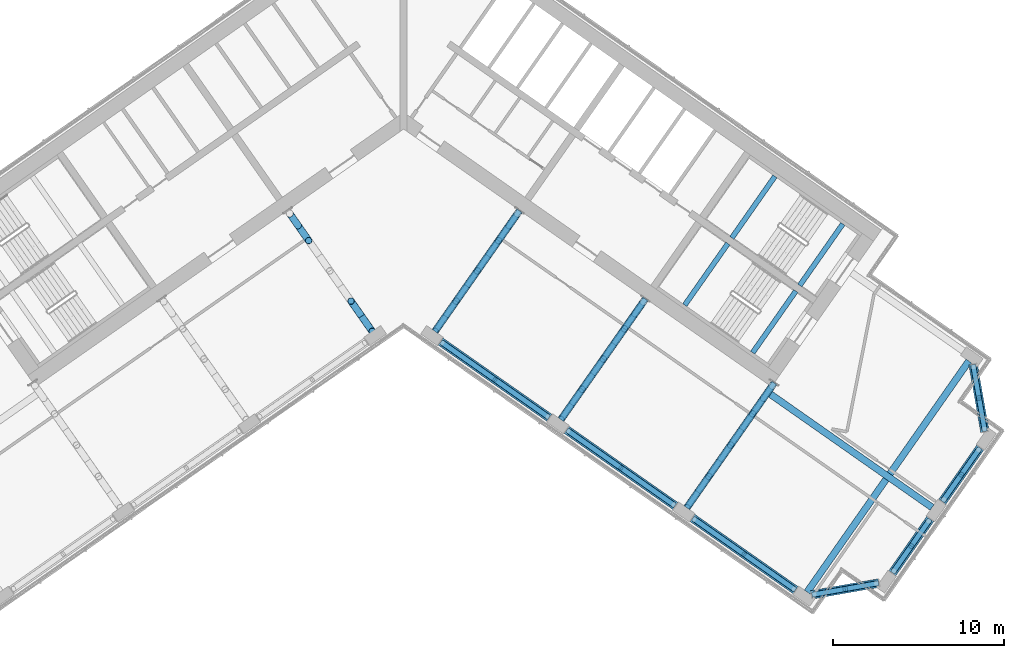
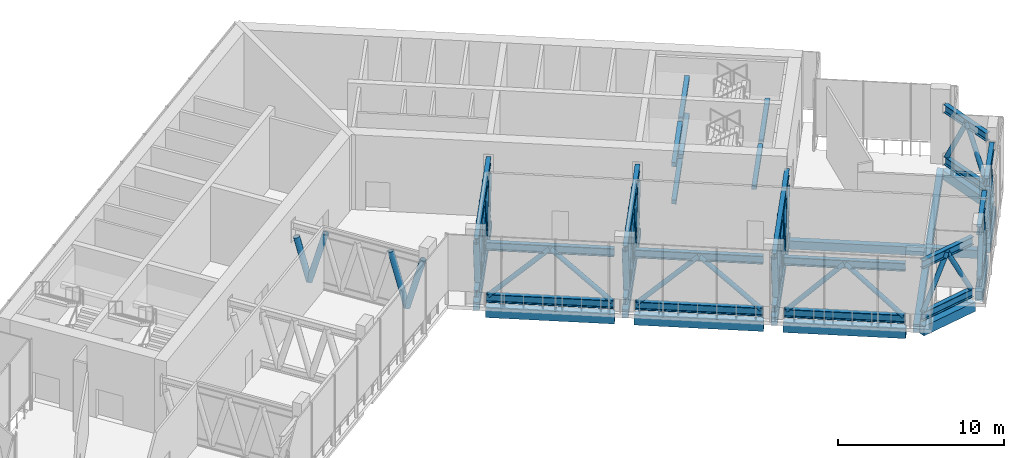
# One storey, part 2 of 19: 62 members, 18 beams.
"""IFC4 building model written with IfcOpenShell, lengths in metres."""

from ifc_helpers import new_model, si_unit, direction, frame, origin, origin_2d, place, context, subcontext, project, spatial, rectangle, hollow_circle, i_section, extrude, material, material_profile, profile_set, type_object, element, save


model = new_model("IFC4")

# Units and contexts
model_context = context("Model", 3, precision=1e-05, world=origin(), true_north=direction((0.0, 1.0)))
body_context = subcontext(model_context, "Body", "Model", "MODEL_VIEW")
ifc_project = project(units=[si_unit("LENGTHUNIT", "METRE"), si_unit("AREAUNIT", "SQUARE_METRE"), si_unit("VOLUMEUNIT", "CUBIC_METRE"), si_unit("PLANEANGLEUNIT", "RADIAN"), si_unit("MASSUNIT", "GRAM", prefix="KILO")], contexts=[model_context])

# Site, building, storey
site_placement = place(None, origin())
site = spatial("IfcSite", under=ifc_project, at=site_placement, CompositionType="ELEMENT")
building_placement = place(site_placement, origin())
building = spatial("IfcBuilding", under=site, at=building_placement, Name="Tel Ilan Convention Tower", CompositionType="ELEMENT")
storey_placement = place(building_placement, frame((0.0, 0.0, 213.89990234375)))
storey = spatial("IfcBuildingStorey", under=building, at=storey_placement, Name="L50", CompositionType="ELEMENT", Elevation=213.89990234375)

# Beams
ifc_material_1 = material(Name="Concrete C40/50", Category="concrete")
ifc_material_profile_1 = material_profile(ifc_material_1, rectangle(XDim=0.39990234375, YDim=0.60009765625, at=origin_2d()), Name="RC 400x600")
ifc_profile_set_1 = profile_set([ifc_material_profile_1], Name="Concrete C40/50")
beam_type_1 = type_object("IfcBeamType", Name="Beam RC 400x600 Concrete C40/50", PredefinedType="BEAM", material=ifc_profile_set_1)
for number, where, z_axis, x_axis, name in (
    (1, (1.83740234375, -13.06689453125, -0.579833984375), (0.573574099654, 0.819153680457, 0.0), (-0.819153680457, 0.573574099654, 0.0), "L50 beam E-E-F1-core"),
    (2, (9.209716796875, -18.229248046875, -0.579833984375), (0.573574099654, 0.819153680457, 0.0), (-0.819153680457, 0.573574099654, 0.0), "L50 beam E-E-F2-core"),
):
    element("IfcBeam", number, at=place(storey_placement, frame(where, z_axis=z_axis, x_axis=x_axis)), inside=storey, type_object=beam_type_1, Name=name, PredefinedType="BEAM", context=body_context, shape_type="SweptSolid", body=[
        extrude(rectangle(XDim=0.39990234375, YDim=0.60009765625, at=origin_2d()), origin(), (0.0, 0.0, 1.0), 8.64990234375),
    ])
beam_1_placement = place(storey_placement, frame((16.58203125, -23.391357421875, -0.579833984375), z_axis=(0.573584999642, 0.819146048141, 0.0), x_axis=(-0.819146048141, 0.573584999642, 0.0)))
element("IfcBeam", 3, at=beam_1_placement, inside=storey, type_object=beam_type_1, Name="L50 beam E-E-F3-core", PredefinedType="BEAM", context=body_context, shape_type="SweptSolid", body=[
    extrude(rectangle(XDim=0.39990234375, YDim=0.60009765625, at=origin_2d()), origin(), (0.0, 0.0, 1.0), 8.949951171875),
])
beam_2_placement = place(storey_placement, frame((21.477783203125, -16.748046875, -0.579833984375), z_axis=(0.819160415691, -0.573564480564, 0.0), x_axis=(0.573564480564, 0.819160415691, 0.0)))
element("IfcBeam", 4, at=beam_2_placement, inside=storey, type_object=beam_type_1, Name="L50 beam E-core-end", PredefinedType="BEAM", context=body_context, shape_type="SweptSolid", body=[
    extrude(rectangle(XDim=0.39990234375, YDim=0.60009765625, at=origin_2d()), origin(), (0.0, 0.0, 1.0), 11.550048828125),
])
beam_3_placement = place(storey_placement, frame((23.626708984375, -28.32421875, -0.579833984375), z_axis=(0.573577531157, 0.819151277697, 0.0), x_axis=(-0.819151277697, 0.573577531157, 0.0)))
element("IfcBeam", 5, at=beam_3_placement, inside=storey, type_object=beam_type_1, Name="L50 beam E-E-FC-E-BC", PredefinedType="BEAM", context=body_context, shape_type="SweptSolid", body=[
    extrude(rectangle(XDim=0.39990234375, YDim=0.60009765625, at=origin_2d()), origin(), (0.0, 0.0, 1.0), 16.500244140625),
])
ifc_material_2 = material(Name="Concrete C40/50", Category="concrete")
ifc_material_profile_2 = material_profile(ifc_material_2, rectangle(XDim=0.5, YDim=0.699951171875, at=origin_2d()), Name="RC 500x700")
ifc_profile_set_2 = profile_set([ifc_material_profile_2], Name="Concrete C40/50")
beam_type_2 = type_object("IfcBeamType", Name="Beam RC 500x700 Concrete C40/50", PredefinedType="BEAM", material=ifc_profile_set_2)
for number, where, z_axis, x_axis, name in (
    (6, (2.15673828125, -13.656982421875, -0.6298828125), (0.819153977895, -0.573573674866, 0.0), (0.573573674866, 0.819153977895, 0.0), "L50 beam E-E-F1-E-F2"),
    (7, (9.529052734375, -18.819091796875, -0.6298828125), (0.819153977895, -0.573573674866, 0.0), (0.573573674866, 0.819153977895, 0.0), "L50 beam E-E-F2-E-F3"),
):
    element("IfcBeam", number, at=place(storey_placement, frame(where, z_axis=z_axis, x_axis=x_axis)), inside=storey, type_object=beam_type_2, Name=name, PredefinedType="BEAM", context=body_context, shape_type="SweptSolid", body=[
        extrude(rectangle(XDim=0.5, YDim=0.699951171875, at=origin_2d()), origin(), (0.0, 0.0, 1.0), 7.800048828125),
    ])
beam_4_placement = place(storey_placement, frame((16.901611328125, -23.981201171875, -0.6298828125), z_axis=(0.819148211634, -0.573581909911, 0.0), x_axis=(0.573581909911, 0.819148211634, 0.0)))
element("IfcBeam", 8, at=beam_4_placement, inside=storey, type_object=beam_type_2, Name="L50 beam E-E-F3-E-FC", PredefinedType="BEAM", context=body_context, shape_type="SweptSolid", body=[
    extrude(rectangle(XDim=0.5, YDim=0.699951171875, at=origin_2d()), origin(), (0.0, 0.0, 1.0), 7.39990234375),
])
beam_5_placement = place(storey_placement, frame((23.87255859375, -28.49609375, -0.6298828125), z_axis=(0.984815252405, 0.173605641124, 0.0), x_axis=(-0.173605641124, 0.984815252405, 0.0)))
element("IfcBeam", 9, at=beam_5_placement, inside=storey, type_object=beam_type_2, Name="L50 beam E-E-FC-E-E1", PredefinedType="BEAM", context=body_context, shape_type="SweptSolid", body=[
    extrude(rectangle(XDim=0.5, YDim=0.699951171875, at=origin_2d()), origin(), (0.0, 0.0, 1.0), 4.030517578125),
])
for number, where, z_axis, x_axis, name in (
    (10, (28.603759765625, -27.231201171875, -0.6298828125), (0.573609383536, 0.819128973434, 0.0), (-0.819128973434, 0.573609383536, 0.0), "L50 beam E-E-E1-E-E2"),
    (11, (31.529052734375, -23.053466796875, -0.6298828125), (0.573609383536, 0.819128973434, 0.0), (-0.819128973434, 0.573609383536, 0.0), "L50 beam E-E-E2-E-E3"),
):
    element("IfcBeam", number, at=place(storey_placement, frame(where, z_axis=z_axis, x_axis=x_axis)), inside=storey, type_object=beam_type_2, Name=name, PredefinedType="BEAM", context=body_context, shape_type="SweptSolid", body=[
        extrude(rectangle(XDim=0.5, YDim=0.699951171875, at=origin_2d()), origin(), (0.0, 0.0, 1.0), 3.89990234375),
    ])
beam_6_placement = place(storey_placement, frame((34.036376953125, -18.949462890625, -0.6298828125), z_axis=(-0.173605641124, 0.984815252405, 0.0), x_axis=(-0.984815252405, -0.173605641124, 0.0)))
element("IfcBeam", 12, at=beam_6_placement, inside=storey, type_object=beam_type_2, Name="L50 beam E-E-E3-E-BC", PredefinedType="BEAM", context=body_context, shape_type="SweptSolid", body=[
    extrude(rectangle(XDim=0.5, YDim=0.699951171875, at=origin_2d()), origin(), (0.0, 0.0, 1.0), 4.030517578125),
])

# Members
ifc_material_3 = material(Name="Steel S355", Category="steel")
ifc_material_profile_3 = material_profile(ifc_material_3, i_section(OverallWidth=0.300048828125, OverallDepth=0.60009765625, WebThickness=0.015380859375, FlangeThickness=0.030029296875, FilletRadius=0.027099609375, at=origin_2d()), Name="HEB 600")
ifc_profile_set_3 = profile_set([ifc_material_profile_3], Name="Steel S355")
member_type_1 = type_object("IfcMemberType", Name="Belt Truss Chord HEB 600 Steel S355", PredefinedType="CHORD", material=ifc_profile_set_3)
for number, where, z_axis, x_axis, name in (
    (13, (2.17724609375, -13.671142578125, 0.35009765625), (0.819144593602, -0.573587076888, 0.0), (0.573587076888, 0.819144593602, 0.0), "L50 E-F1-E-F2 belt member"),
    (14, (2.17724609375, -13.671142578125, 4.170166015625), (0.819144593602, -0.573587076888, 0.0), (0.573587076888, 0.819144593602, 0.0), "L50 E-F1-E-F2 belt member"),
    (15, (9.549560546875, -18.83349609375, 0.35009765625), (0.819159394801, -0.573565938589, 0.0), (0.573565938589, 0.819159394801, 0.0), "L50 E-F2-E-F3 belt member"),
    (16, (9.549560546875, -18.83349609375, 4.170166015625), (0.819159394801, -0.573565938589, 0.0), (0.573565938589, 0.819159394801, 0.0), "L50 E-F2-E-F3 belt member"),
):
    element("IfcMember", number, at=place(storey_placement, frame(where, z_axis=z_axis, x_axis=x_axis)), inside=storey, type_object=member_type_1, Name=name, PredefinedType="CHORD", context=body_context, shape_type="SweptSolid", body=[
        extrude(i_section(OverallWidth=0.300048828125, OverallDepth=0.60009765625, WebThickness=0.015380859375, FlangeThickness=0.030029296875, FilletRadius=0.027099609375, at=origin_2d()), origin(), (0.0, 0.0, 1.0), 7.75),
    ])
for number, where, z_axis, x_axis, name in (
    (17, (16.922119140625, -23.99560546875, 0.35009765625), (0.819149205436, -0.573580490632, 0.0), (0.573580490632, 0.819149205436, 0.0), "L50 E-F3-E-FC belt member"),
    (18, (16.922119140625, -23.99560546875, 4.170166015625), (0.819149205436, -0.573580490632, 0.0), (0.573580490632, 0.819149205436, 0.0), "L50 E-F3-E-FC belt member"),
):
    element("IfcMember", number, at=place(storey_placement, frame(where, z_axis=z_axis, x_axis=x_axis)), inside=storey, type_object=member_type_1, Name=name, PredefinedType="CHORD", context=body_context, shape_type="SweptSolid", body=[
        extrude(i_section(OverallWidth=0.300048828125, OverallDepth=0.60009765625, WebThickness=0.015380859375, FlangeThickness=0.030029296875, FilletRadius=0.027099609375, at=origin_2d()), origin(), (0.0, 0.0, 1.0), 7.35009765625),
    ])
for number, where, z_axis, x_axis, name in (
    (19, (23.897216796875, -28.491943359375, 0.35009765625), (0.984808864855, 0.173641871973, 0.0), (-0.173641871973, 0.984808864855, 0.0), "L50 E-FC-E-E1 belt member"),
    (20, (23.897216796875, -28.491943359375, 4.170166015625), (0.984808864855, 0.173641871973, 0.0), (-0.173641871973, 0.984808864855, 0.0), "L50 E-FC-E-E1 belt member"),
):
    element("IfcMember", number, at=place(storey_placement, frame(where, z_axis=z_axis, x_axis=x_axis)), inside=storey, type_object=member_type_1, Name=name, PredefinedType="CHORD", context=body_context, shape_type="SweptSolid", body=[
        extrude(i_section(OverallWidth=0.300048828125, OverallDepth=0.60009765625, WebThickness=0.015380859375, FlangeThickness=0.030029296875, FilletRadius=0.027099609375, at=origin_2d()), origin(), (0.0, 0.0, 1.0), 3.98046875),
    ])
for number, where, z_axis, x_axis, name in (
    (21, (28.6181640625, -27.210693359375, 0.35009765625), (0.573564480564, 0.819160415691, 0.0), (-0.819160415691, 0.573564480564, 0.0), "L50 E-E1-E-E2 belt member"),
    (22, (28.6181640625, -27.210693359375, 4.170166015625), (0.573564480564, 0.819160415691, 0.0), (-0.819160415691, 0.573564480564, 0.0), "L50 E-E1-E-E2 belt member"),
):
    element("IfcMember", number, at=place(storey_placement, frame(where, z_axis=z_axis, x_axis=x_axis)), inside=storey, type_object=member_type_1, Name=name, PredefinedType="CHORD", context=body_context, shape_type="SweptSolid", body=[
        extrude(i_section(OverallWidth=0.300048828125, OverallDepth=0.60009765625, WebThickness=0.015380859375, FlangeThickness=0.030029296875, FilletRadius=0.027099609375, at=origin_2d()), origin(), (0.0, 0.0, 1.0), 3.85009765625),
    ])
for number, where, z_axis, x_axis, name in (
    (23, (31.54345703125, -23.032958984375, 0.35009765625), (0.573594275463, 0.819139552919, 0.0), (-0.819139552919, 0.573594275463, 0.0), "L50 E-E2-E-E3 belt member"),
    (24, (31.54345703125, -23.032958984375, 4.170166015625), (0.573594275463, 0.819139552919, 0.0), (-0.819139552919, 0.573594275463, 0.0), "L50 E-E2-E-E3 belt member"),
):
    element("IfcMember", number, at=place(storey_placement, frame(where, z_axis=z_axis, x_axis=x_axis)), inside=storey, type_object=member_type_1, Name=name, PredefinedType="CHORD", context=body_context, shape_type="SweptSolid", body=[
        extrude(i_section(OverallWidth=0.300048828125, OverallDepth=0.60009765625, WebThickness=0.015380859375, FlangeThickness=0.030029296875, FilletRadius=0.027099609375, at=origin_2d()), origin(), (0.0, 0.0, 1.0), 3.849853515625),
    ])
for number, where, z_axis, x_axis, name in (
    (25, (34.031982421875, -18.9248046875, 0.35009765625), (-0.173641871973, 0.984808864855, 0.0), (-0.984808864855, -0.173641871973, 0.0), "L50 E-E3-E-BC belt member"),
    (26, (34.031982421875, -18.9248046875, 4.170166015625), (-0.173641871973, 0.984808864855, 0.0), (-0.984808864855, -0.173641871973, 0.0), "L50 E-E3-E-BC belt member"),
):
    element("IfcMember", number, at=place(storey_placement, frame(where, z_axis=z_axis, x_axis=x_axis)), inside=storey, type_object=member_type_1, Name=name, PredefinedType="CHORD", context=body_context, shape_type="SweptSolid", body=[
        extrude(i_section(OverallWidth=0.300048828125, OverallDepth=0.60009765625, WebThickness=0.015380859375, FlangeThickness=0.030029296875, FilletRadius=0.027099609375, at=origin_2d()), origin(), (0.0, 0.0, 1.0), 3.98046875),
    ])
ifc_material_4 = material(Name="Steel S355", Category="steel")
ifc_material_profile_4 = material_profile(ifc_material_4, hollow_circle(Radius=0.161865234375, WallThickness=0.012451171875, at=origin_2d()), Name="CHS 323.9x12.5")
ifc_profile_set_4 = profile_set([ifc_material_profile_4], Name="Steel S355")
member_type_2 = type_object("IfcMemberType", Name="Belt Truss Diagonal CHS 323.9x12.5 Steel S355", PredefinedType="BRACE", material=ifc_profile_set_4)
for number, where, z_axis, x_axis, name in (
    (27, (2.28173828125, -13.744384765625, 0.49951171875), (0.585206289234, -0.409746792621, 0.699743642328), (0.57355853134, 0.819164581221, 0.0), "L50 E-F1-E-F2 belt member"),
    (28, (5.3515625, -15.893798828125, 4.170166015625), (0.585175685725, -0.409757952527, -0.699762700619), (0.573589141395, 0.819143147974, 0.0), "L50 E-F1-E-F2 belt member"),
    (29, (9.654296875, -18.906494140625, 0.49951171875), (0.585175685725, -0.409757952527, 0.699762700619), (0.573589141395, 0.819143147974, 0.0), "L50 E-F2-E-F3 belt member"),
    (30, (12.723876953125, -21.055908203125, 4.170166015625), (0.585175685725, -0.409757952527, -0.699762700619), (0.573589141395, 0.819143147974, 0.0), "L50 E-F2-E-F3 belt member"),
):
    element("IfcMember", number, at=place(storey_placement, frame(where, z_axis=z_axis, x_axis=x_axis)), inside=storey, type_object=member_type_2, Name=name, PredefinedType="BRACE", context=body_context, shape_type="SweptSolid", body=[
        extrude(hollow_circle(Radius=0.161865234375, WallThickness=0.012451171875, at=origin_2d()), origin(), (0.0, 0.0, 1.0), 5.24560546875),
    ])
for number, where, z_axis, x_axis, name in (
    (31, (17.02880859375, -24.0703125, 0.510498046875), (0.56989883806, -0.399068151296, 0.718303504794), (0.573596389959, 0.81913807226, 0.0), "L50 E-F3-E-FC belt member"),
    (32, (19.932373046875, -26.103515625, 4.170166015625), (0.569931192273, -0.399057253174, -0.718283888698), (0.573564029795, 0.819160731313, 0.0), "L50 E-F3-E-FC belt member"),
):
    element("IfcMember", number, at=place(storey_placement, frame(where, z_axis=z_axis, x_axis=x_axis)), inside=storey, type_object=member_type_2, Name=name, PredefinedType="BRACE", context=body_context, shape_type="SweptSolid", body=[
        extrude(hollow_circle(Radius=0.161865234375, WallThickness=0.012451171875, at=origin_2d()), origin(), (0.0, 0.0, 1.0), 5.094970703125),
    ])
for number, where, z_axis, x_axis, name in (
    (33, (24.04736328125, -28.46533203125, 0.686767578125), (0.459525670021, 0.08101983687, 0.884461386735), (-0.173633759065, 0.984810295292, 0.0), "L50 E-FC-E-E1 belt member"),
    (34, (25.857177734375, -28.146240234375, 4.170166015625), (0.459525670021, 0.08101983687, -0.884461386735), (-0.173633759065, 0.984810295292, 0.0), "L50 E-FC-E-E1 belt member"),
):
    element("IfcMember", number, at=place(storey_placement, frame(where, z_axis=z_axis, x_axis=x_axis)), inside=storey, type_object=member_type_2, Name=name, PredefinedType="BRACE", context=body_context, shape_type="SweptSolid", body=[
        extrude(hollow_circle(Radius=0.161865234375, WallThickness=0.012451171875, at=origin_2d()), origin(), (0.0, 0.0, 1.0), 3.9384765625),
    ])
for number, where, z_axis, x_axis, name in (
    (35, (28.7060546875, -27.085205078125, 0.699462890625), (0.260815717049, 0.37245962956, 0.890645263889), (-0.81913481161, 0.57360104638, 0.0), "L50 E-E1-E-E2 belt member"),
    (36, (29.722412109375, -25.6337890625, 4.170166015625), (0.260705016642, 0.372417836798, -0.890695149382), (-0.819218970513, 0.573480843927, 0.0), "L50 E-E1-E-E2 belt member"),
    (37, (31.63134765625, -22.907470703125, 0.699462890625), (0.260757326531, 0.372465715095, 0.890659815945), (-0.819199550934, 0.57350858385, 0.0), "L50 E-E2-E-E3 belt member"),
    (38, (32.6474609375, -21.4560546875, 4.170166015625), (0.260821802868, 0.372405668087, -0.890666046016), (-0.819089470001, 0.573665791322, 0.0), "L50 E-E2-E-E3 belt member"),
):
    element("IfcMember", number, at=place(storey_placement, frame(where, z_axis=z_axis, x_axis=x_axis)), inside=storey, type_object=member_type_2, Name=name, PredefinedType="BRACE", context=body_context, shape_type="SweptSolid", body=[
        extrude(hollow_circle(Radius=0.161865234375, WallThickness=0.012451171875, at=origin_2d()), origin(), (0.0, 0.0, 1.0), 3.896728515625),
    ])
for number, where, z_axis, x_axis, name in (
    (39, (34.005615234375, -18.774658203125, 0.686767578125), (-0.08101983687, 0.459525670021, 0.884461386735), (-0.984810295292, -0.173633759065, 0.0), "L50 E-E3-E-BC belt member"),
    (40, (33.6865234375, -16.96484375, 4.170166015625), (-0.08101983687, 0.459525670021, -0.884461386735), (-0.984810295292, -0.173633759065, 0.0), "L50 E-E3-E-BC belt member"),
):
    element("IfcMember", number, at=place(storey_placement, frame(where, z_axis=z_axis, x_axis=x_axis)), inside=storey, type_object=member_type_2, Name=name, PredefinedType="BRACE", context=body_context, shape_type="SweptSolid", body=[
        extrude(hollow_circle(Radius=0.161865234375, WallThickness=0.012451171875, at=origin_2d()), origin(), (0.0, 0.0, 1.0), 3.9384765625),
    ])

# Beams
ifc_material_5 = material(Name="Concrete C40/50", Category="concrete")
ifc_material_profile_5 = material_profile(ifc_material_5, rectangle(XDim=0.300048828125, YDim=0.300048828125, at=origin_2d()), Name="RC 300x300")
ifc_profile_set_5 = profile_set([ifc_material_profile_5], Name="Concrete C40/50")
beam_type_3 = type_object("IfcBeamType", Name="Landing Beam RC 300x300 Concrete C40/50", PredefinedType="BEAM", material=ifc_profile_set_5)
for number, where, z_axis, x_axis, name in (
    (41, (21.738037109375, -3.989990234375, 1.025146484375), (-0.573570334442, -0.819156316858, 0.0), (0.819156316858, -0.573570334442, 0.0), "S3 landing beam L50.1"),
    (42, (25.71435546875, -6.7744140625, 2.400146484375), (-0.573570334442, -0.819156316858, 0.0), (0.819156316858, -0.573570334442, 0.0), "S3 landing beam L50.2"),
    (43, (21.738037109375, -3.989990234375, 3.775146484375), (-0.573570334442, -0.819156316858, 0.0), (0.819156316858, -0.573570334442, 0.0), "S3 landing beam L50.3"),
):
    element("IfcBeam", number, at=place(storey_placement, frame(where, z_axis=z_axis, x_axis=x_axis)), inside=storey, type_object=beam_type_3, Name=name, PredefinedType="BEAM", context=body_context, shape_type="SweptSolid", body=[
        extrude(rectangle(XDim=0.300048828125, YDim=0.300048828125, at=origin_2d()), origin(), (0.0, 0.0, 1.0), 4.39990234375),
    ])
beam_7_placement = place(storey_placement, frame((18.98486328125, -7.922119140625, 1.025146484375), z_axis=(-0.573596405612, -0.819138061299, 0.0), x_axis=(0.819138061299, -0.573596405612, 0.0)))
element("IfcBeam", 44, at=beam_7_placement, inside=storey, type_object=beam_type_3, Name="S4 landing beam L50.1", PredefinedType="BEAM", context=body_context, shape_type="SweptSolid", body=[
    extrude(rectangle(XDim=0.300048828125, YDim=0.300048828125, at=origin_2d()), origin(), (0.0, 0.0, 1.0), 4.399658203125),
])
beam_8_placement = place(storey_placement, frame((22.961181640625, -10.706298828125, 2.400146484375), z_axis=(-0.573570334442, -0.819156316858, 0.0), x_axis=(0.819156316858, -0.573570334442, 0.0)))
element("IfcBeam", 45, at=beam_8_placement, inside=storey, type_object=beam_type_3, Name="S4 landing beam L50.2", PredefinedType="BEAM", context=body_context, shape_type="SweptSolid", body=[
    extrude(rectangle(XDim=0.300048828125, YDim=0.300048828125, at=origin_2d()), origin(), (0.0, 0.0, 1.0), 4.39990234375),
])
beam_9_placement = place(storey_placement, frame((18.98486328125, -7.922119140625, 3.775146484375), z_axis=(-0.573596405612, -0.819138061299, 0.0), x_axis=(0.819138061299, -0.573596405612, 0.0)))
element("IfcBeam", 46, at=beam_9_placement, inside=storey, type_object=beam_type_3, Name="S4 landing beam L50.3", PredefinedType="BEAM", context=body_context, shape_type="SweptSolid", body=[
    extrude(rectangle(XDim=0.300048828125, YDim=0.300048828125, at=origin_2d()), origin(), (0.0, 0.0, 1.0), 4.399658203125),
])

# Members
ifc_material_6 = material(Name="Steel S355", Category="steel")
ifc_material_profile_6 = material_profile(ifc_material_6, i_section(OverallWidth=0.300048828125, OverallDepth=0.5, WebThickness=0.014404296875, FlangeThickness=0.028076171875, FilletRadius=0.027099609375, at=origin_2d()), Name="HEB 500")
ifc_profile_set_6 = profile_set([ifc_material_profile_6], Name="Steel S355")
member_type_3 = type_object("IfcMemberType", Name="Outrigger Chord HEB 500 Steel S355", PredefinedType="CHORD", material=ifc_profile_set_6)
for number, where, z_axis, x_axis, name in (
    (47, (1.83740234375, -13.06689453125, 0.35009765625), (0.573568788328, 0.819157399439, 0.0), (-0.819157399439, 0.573568788328, 0.0), "L50 E-F1 outrigger member"),
    (48, (1.83740234375, -13.06689453125, 4.170166015625), (0.573568788328, 0.819157399439, 0.0), (-0.819157399439, 0.573568788328, 0.0), "L50 E-F1 outrigger member"),
):
    element("IfcMember", number, at=place(storey_placement, frame(where, z_axis=z_axis, x_axis=x_axis)), inside=storey, type_object=member_type_3, Name=name, PredefinedType="CHORD", context=body_context, shape_type="SweptSolid", body=[
        extrude(i_section(OverallWidth=0.300048828125, OverallDepth=0.5, WebThickness=0.014404296875, FlangeThickness=0.028076171875, FilletRadius=0.027099609375, at=origin_2d()), origin(), (0.0, 0.0, 1.0), 8.619873046875),
    ])
for number, where, z_axis, x_axis, name in (
    (49, (9.209716796875, -18.229248046875, 0.35009765625), (0.573587793123, 0.819144092075, 0.0), (-0.819144092075, 0.573587793123, 0.0), "L50 E-F2 outrigger member"),
    (50, (9.209716796875, -18.229248046875, 4.170166015625), (0.573587793123, 0.819144092075, 0.0), (-0.819144092075, 0.573587793123, 0.0), "L50 E-F2 outrigger member"),
):
    element("IfcMember", number, at=place(storey_placement, frame(where, z_axis=z_axis, x_axis=x_axis)), inside=storey, type_object=member_type_3, Name=name, PredefinedType="CHORD", context=body_context, shape_type="SweptSolid", body=[
        extrude(i_section(OverallWidth=0.300048828125, OverallDepth=0.5, WebThickness=0.014404296875, FlangeThickness=0.028076171875, FilletRadius=0.027099609375, at=origin_2d()), origin(), (0.0, 0.0, 1.0), 8.6201171875),
    ])
for number, where, z_axis, x_axis, name in (
    (51, (16.58203125, -23.391357421875, 0.35009765625), (0.573585409399, 0.81914576122, 0.0), (-0.81914576122, 0.573585409399, 0.0), "L50 E-F3 outrigger member"),
    (52, (16.58203125, -23.391357421875, 4.170166015625), (0.573585409399, 0.81914576122, 0.0), (-0.81914576122, 0.573585409399, 0.0), "L50 E-F3 outrigger member"),
):
    element("IfcMember", number, at=place(storey_placement, frame(where, z_axis=z_axis, x_axis=x_axis)), inside=storey, type_object=member_type_3, Name=name, PredefinedType="CHORD", context=body_context, shape_type="SweptSolid", body=[
        extrude(i_section(OverallWidth=0.300048828125, OverallDepth=0.5, WebThickness=0.014404296875, FlangeThickness=0.028076171875, FilletRadius=0.027099609375, at=origin_2d()), origin(), (0.0, 0.0, 1.0), 8.920166015625),
    ])
ifc_material_7 = material(Name="Steel S355", Category="steel")
ifc_material_profile_7 = material_profile(ifc_material_7, hollow_circle(Radius=0.203125, WallThickness=0.01611328125, at=origin_2d()), Name="CHS 406.4x16")
ifc_profile_set_7 = profile_set([ifc_material_profile_7], Name="Steel S355")
member_type_4 = type_object("IfcMemberType", Name="Outrigger Diagonal CHS 406.4x16 Steel S355", PredefinedType="BRACE", material=ifc_profile_set_7)
member_1_placement = place(storey_placement, frame((-1.83740234375, -13.06689453125, 4.170166015625), z_axis=(-0.156197461194, 0.223042595177, -0.962213257991), x_axis=(-0.819115195216, -0.573629058684, 0.0)))
element("IfcMember", 53, at=member_1_placement, inside=storey, type_object=member_type_4, Name="L50 W-F1 outrigger member", PredefinedType="BRACE", context=body_context, shape_type="SweptSolid", body=[
    extrude(hollow_circle(Radius=0.203125, WallThickness=0.01611328125, at=origin_2d()), origin(), (0.0, 0.0, 1.0), 3.969970703125),
])
for number, where, z_axis, x_axis, name in (
    (54, (-2.45751953125, -12.181396484375, 0.35009765625), (-0.156195318535, 0.223101029782, 0.962200058708), (-0.819189486731, -0.573522959288, 0.0), "L50 W-F1 outrigger member"),
    (55, (-5.558349609375, -7.752685546875, 4.170166015625), (-0.156255311617, 0.223098886481, -0.962190814985), (-0.819083401876, -0.573674455393, 0.0), "L50 W-F1 outrigger member"),
):
    element("IfcMember", number, at=place(storey_placement, frame(where, z_axis=z_axis, x_axis=x_axis)), inside=storey, type_object=member_type_4, Name=name, PredefinedType="BRACE", context=body_context, shape_type="SweptSolid", body=[
        extrude(hollow_circle(Radius=0.203125, WallThickness=0.01611328125, at=origin_2d()), origin(), (0.0, 0.0, 1.0), 3.97021484375),
    ])
member_2_placement = place(storey_placement, frame((-6.1787109375, -6.866943359375, 0.35009765625), z_axis=(-0.156170101434, 0.223111316671, 0.962201766674), x_axis=(-0.819245410667, -0.573443072241, 0.0)))
element("IfcMember", 56, at=member_2_placement, inside=storey, type_object=member_type_4, Name="L50 W-F1 outrigger member", PredefinedType="BRACE", context=body_context, shape_type="SweptSolid", body=[
    extrude(hollow_circle(Radius=0.203125, WallThickness=0.01611328125, at=origin_2d()), origin(), (0.0, 0.0, 1.0), 3.121826171875),
])
member_3_placement = place(storey_placement, frame((1.83740234375, -13.06689453125, 4.170166015625), z_axis=(0.156197461194, 0.223042595177, -0.962213257991), x_axis=(-0.819115195216, 0.573629058684, 0.0)))
element("IfcMember", 57, at=member_3_placement, inside=storey, type_object=member_type_4, Name="L50 E-F1 outrigger member", PredefinedType="BRACE", context=body_context, shape_type="SweptSolid", body=[
    extrude(hollow_circle(Radius=0.203125, WallThickness=0.01611328125, at=origin_2d()), origin(), (0.0, 0.0, 1.0), 3.969970703125),
])
for number, where, z_axis, x_axis, name in (
    (58, (2.45751953125, -12.181396484375, 0.35009765625), (0.156195318535, 0.223101029782, 0.962200058708), (-0.819189486731, 0.573522959288, 0.0), "L50 E-F1 outrigger member"),
    (59, (3.07763671875, -11.295654296875, 4.170166015625), (0.156255311617, 0.223098886481, -0.962190814985), (-0.819083401876, 0.573674455393, 0.0), "L50 E-F1 outrigger member"),
    (60, (3.697998046875, -10.409912109375, 0.35009765625), (0.156195318535, 0.223101029782, 0.962200058708), (-0.819189486731, 0.573522959288, 0.0), "L50 E-F1 outrigger member"),
    (61, (4.318115234375, -9.524169921875, 4.170166015625), (0.156195318535, 0.223101029782, -0.962200058708), (-0.819189486731, 0.573522959288, 0.0), "L50 E-F1 outrigger member"),
    (62, (4.938232421875, -8.638427734375, 0.35009765625), (0.156195318535, 0.223101029782, 0.962200058708), (-0.819189486731, 0.573522959288, 0.0), "L50 E-F1 outrigger member"),
    (63, (5.558349609375, -7.752685546875, 4.170166015625), (0.156255311617, 0.223098886481, -0.962190814985), (-0.819083401876, 0.573674455393, 0.0), "L50 E-F1 outrigger member"),
):
    element("IfcMember", number, at=place(storey_placement, frame(where, z_axis=z_axis, x_axis=x_axis)), inside=storey, type_object=member_type_4, Name=name, PredefinedType="BRACE", context=body_context, shape_type="SweptSolid", body=[
        extrude(hollow_circle(Radius=0.203125, WallThickness=0.01611328125, at=origin_2d()), origin(), (0.0, 0.0, 1.0), 3.97021484375),
    ])
member_4_placement = place(storey_placement, frame((6.1787109375, -6.866943359375, 0.35009765625), z_axis=(0.156170101434, 0.223111316671, 0.962201766674), x_axis=(-0.819245410667, 0.573443072241, 0.0)))
element("IfcMember", 64, at=member_4_placement, inside=storey, type_object=member_type_4, Name="L50 E-F1 outrigger member", PredefinedType="BRACE", context=body_context, shape_type="SweptSolid", body=[
    extrude(hollow_circle(Radius=0.203125, WallThickness=0.01611328125, at=origin_2d()), origin(), (0.0, 0.0, 1.0), 3.121826171875),
])
for number, where, z_axis, x_axis, name in (
    (65, (9.209716796875, -18.229248046875, 4.170166015625), (0.156195318535, 0.223101029782, -0.962200058708), (-0.819189486731, 0.573522959288, 0.0), "L50 E-F2 outrigger member"),
    (66, (9.829833984375, -17.343505859375, 0.35009765625), (0.156255311617, 0.223098886481, 0.962190814985), (-0.819083401876, 0.573674455393, 0.0), "L50 E-F2 outrigger member"),
    (67, (10.4501953125, -16.457763671875, 4.170166015625), (0.156195318535, 0.223101029782, -0.962200058708), (-0.819189486731, 0.573522959288, 0.0), "L50 E-F2 outrigger member"),
    (68, (11.0703125, -15.572021484375, 0.35009765625), (0.156195318535, 0.223101029782, 0.962200058708), (-0.819189486731, 0.573522959288, 0.0), "L50 E-F2 outrigger member"),
):
    element("IfcMember", number, at=place(storey_placement, frame(where, z_axis=z_axis, x_axis=x_axis)), inside=storey, type_object=member_type_4, Name=name, PredefinedType="BRACE", context=body_context, shape_type="SweptSolid", body=[
        extrude(hollow_circle(Radius=0.203125, WallThickness=0.01611328125, at=origin_2d()), origin(), (0.0, 0.0, 1.0), 3.97021484375),
    ])
member_5_placement = place(storey_placement, frame((11.6904296875, -14.686279296875, 4.170166015625), z_axis=(0.156197461194, 0.223042595177, -0.962213257991), x_axis=(-0.819115195216, 0.573629058684, 0.0)))
element("IfcMember", 69, at=member_5_placement, inside=storey, type_object=member_type_4, Name="L50 E-F2 outrigger member", PredefinedType="BRACE", context=body_context, shape_type="SweptSolid", body=[
    extrude(hollow_circle(Radius=0.203125, WallThickness=0.01611328125, at=origin_2d()), origin(), (0.0, 0.0, 1.0), 3.969970703125),
])
member_6_placement = place(storey_placement, frame((12.310546875, -13.80078125, 0.35009765625), z_axis=(0.156253167674, 0.223157318178, 0.962177612988), x_axis=(-0.819157681794, 0.573568385075, 0.0)))
element("IfcMember", 70, at=member_6_placement, inside=storey, type_object=member_type_4, Name="L50 E-F2 outrigger member", PredefinedType="BRACE", context=body_context, shape_type="SweptSolid", body=[
    extrude(hollow_circle(Radius=0.203125, WallThickness=0.01611328125, at=origin_2d()), origin(), (0.0, 0.0, 1.0), 3.97021484375),
])
member_7_placement = place(storey_placement, frame((12.930908203125, -12.914794921875, 4.170166015625), z_axis=(0.156197461194, 0.223042595177, -0.962213257991), x_axis=(-0.819115195216, 0.573629058684, 0.0)))
element("IfcMember", 71, at=member_7_placement, inside=storey, type_object=member_type_4, Name="L50 E-F2 outrigger member", PredefinedType="BRACE", context=body_context, shape_type="SweptSolid", body=[
    extrude(hollow_circle(Radius=0.203125, WallThickness=0.01611328125, at=origin_2d()), origin(), (0.0, 0.0, 1.0), 3.969970703125),
])
member_8_placement = place(storey_placement, frame((13.551025390625, -12.029296875, 0.35009765625), z_axis=(0.156246395106, 0.223108591209, 0.962190012703), x_axis=(-0.819110508783, 0.57363575063, 0.0)))
element("IfcMember", 72, at=member_8_placement, inside=storey, type_object=member_type_4, Name="L50 E-F2 outrigger member", PredefinedType="BRACE", context=body_context, shape_type="SweptSolid", body=[
    extrude(hollow_circle(Radius=0.203125, WallThickness=0.01611328125, at=origin_2d()), origin(), (0.0, 0.0, 1.0), 3.121826171875),
])
for number, where, z_axis, x_axis, name in (
    (73, (16.58203125, -23.391357421875, 4.170166015625), (0.161247304426, 0.230186813812, -0.959694398005), (-0.819037072618, 0.573740597899, 0.0), "L50 E-F3 outrigger member"),
    (74, (17.223876953125, -22.47509765625, 0.35009765625), (0.161185288192, 0.230247173467, 0.959690336505), (-0.819211415764, 0.573491635756, 0.0), "L50 E-F3 outrigger member"),
    (75, (17.865478515625, -21.55859375, 4.170166015625), (0.161185288192, 0.230247173467, -0.959690336505), (-0.819211415764, 0.573491635756, 0.0), "L50 E-F3 outrigger member"),
    (76, (18.507080078125, -20.64208984375, 0.35009765625), (0.161185288192, 0.230247173467, 0.959690336505), (-0.819211415764, 0.573491635756, 0.0), "L50 E-F3 outrigger member"),
    (77, (19.148681640625, -19.7255859375, 4.170166015625), (0.161245027634, 0.230244896819, -0.959680847236), (-0.81910889168, 0.57363805973, 0.0), "L50 E-F3 outrigger member"),
    (78, (19.79052734375, -18.80908203125, 0.35009765625), (0.161187564186, 0.23018908995, 0.959703887676), (-0.819139624372, 0.573594173421, 0.0), "L50 E-F3 outrigger member"),
    (79, (20.43212890625, -17.892822265625, 4.170166015625), (0.161245027634, 0.230244896819, -0.959680847236), (-0.81910889168, 0.57363805973, 0.0), "L50 E-F3 outrigger member"),
):
    element("IfcMember", number, at=place(storey_placement, frame(where, z_axis=z_axis, x_axis=x_axis)), inside=storey, type_object=member_type_4, Name=name, PredefinedType="BRACE", context=body_context, shape_type="SweptSolid", body=[
        extrude(hollow_circle(Radius=0.203125, WallThickness=0.01611328125, at=origin_2d()), origin(), (0.0, 0.0, 1.0), 3.98046875),
    ])
member_9_placement = place(storey_placement, frame((21.073974609375, -16.976318359375, 0.35009765625), z_axis=(0.161172149456, 0.230245927795, 0.959692841993), x_axis=(-0.819231920519, 0.573462344363, 0.0)))
element("IfcMember", 80, at=member_9_placement, inside=storey, type_object=member_type_4, Name="L50 E-F3 outrigger member", PredefinedType="BRACE", context=body_context, shape_type="SweptSolid", body=[
    extrude(hollow_circle(Radius=0.203125, WallThickness=0.01611328125, at=origin_2d()), origin(), (0.0, 0.0, 1.0), 3.159912109375),
])

save(model, "model.ifc")
